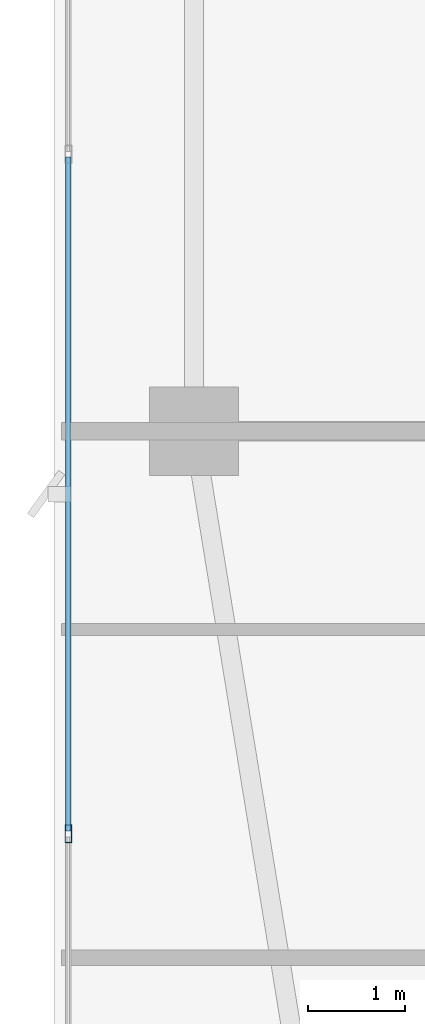
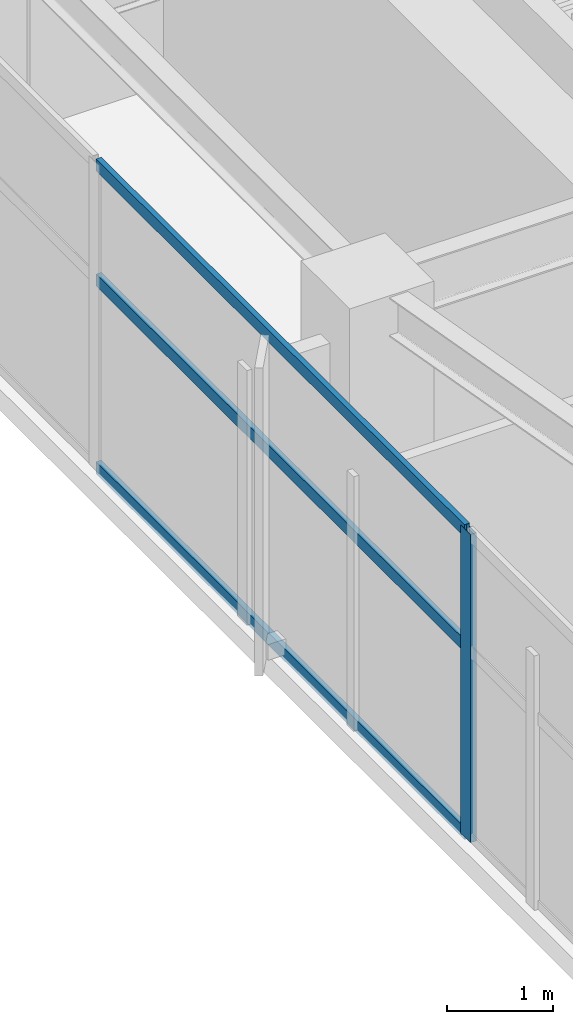
# One storey, part 4 of 27: 4 members, 1 element without a shape of its own.
"""IFC4 building model written with IfcOpenShell, lengths in metres."""

import ifcopenshell
import ifcopenshell.guid

model = None  # the IFC model being written
_history = None  # IfcOwnerHistory: only IFC2X3 demands one
_inside = {}  # id of a spatial element -> (the spatial element, [elements in it])
_under = {}  # id of a project, library or spatial element -> (it, [spatial elements below it])
_declared = {}  # id of a project -> (the project, [libraries it declares])
_typed = {}  # id of a type object -> (the type object, [elements of that type])
_made_of = {}  # id of a material, layer set ... -> (it, [elements and type objects made of it])


def new_model(schema):
    """Start an empty IFC model of exactly this schema.

    Asked for "IFC4X3", IfcOpenShell would pick the latest addendum, in which some entities
    have other attributes; the version numbers below select the first issue.
    IFC2X3 requires an IfcOwnerHistory on every rooted entity: one is made here for all.
    """
    global model, _history
    if schema == "IFC4X3":
        model = ifcopenshell.file(schema_version=(4, 3, 0, 0))
    else:
        model = ifcopenshell.file(schema=schema)
    _inside.clear()
    _under.clear()
    _declared.clear()
    _typed.clear()
    _made_of.clear()
    _history = None
    if model.schema == "IFC2X3":
        org = make("IfcOrganization", Name="unknown")
        user = make(
            "IfcPersonAndOrganization",
            ThePerson=make("IfcPerson", FamilyName="unknown"),
            TheOrganization=org,
        )
        app = make(
            "IfcApplication",
            ApplicationDeveloper=org,
            Version="unknown",
            ApplicationFullName="unknown",
            ApplicationIdentifier="unknown",
        )
        _history = make(
            "IfcOwnerHistory",
            OwningUser=user,
            OwningApplication=app,
            ChangeAction="ADDED",
            CreationDate=0,
        )
    return model


def make(cls, **values):
    """One entity of the class cls with the attributes given. An attribute that is None is left unset."""
    return model.create_entity(
        cls, **{name: value for name, value in values.items() if value is not None}
    )


def rooted(cls, **values):
    """An entity with a GlobalId (a new one), such as an element, a storey or a relation."""
    return make(cls, GlobalId=ifcopenshell.guid.new(), OwnerHistory=_history, **values)


def si_unit(unit_type, name, prefix=None):
    """IfcSIUnit, for example si_unit("LENGTHUNIT", "METRE", prefix="MILLI")."""
    return make("IfcSIUnit", UnitType=unit_type, Prefix=prefix, Name=name)


def assignment(units):
    """IfcUnitAssignment: the units of a project."""
    return None if units is None else make("IfcUnitAssignment", Units=units)


def point(xyz):
    """IfcCartesianPoint."""
    return None if xyz is None else make("IfcCartesianPoint", Coordinates=xyz)


def direction(xyz):
    """IfcDirection."""
    return None if xyz is None else make("IfcDirection", DirectionRatios=xyz)


def frame(location, z_axis=None, x_axis=None):
    """IfcAxis2Placement3D, a coordinate frame: its origin and axes. An axis left out is left unset."""
    return make(
        "IfcAxis2Placement3D",
        Location=point(location),
        Axis=direction(z_axis),
        RefDirection=direction(x_axis),
    )


def frame_2d(location, x_axis=None):
    """IfcAxis2Placement2D, a coordinate frame in the plane: its origin and x axis."""
    return make(
        "IfcAxis2Placement2D", Location=point(location), RefDirection=direction(x_axis)
    )


def origin():
    """The frame at (0, 0, 0) with its axes left unset."""
    return frame((0.0, 0.0, 0.0))


def origin_2d():
    """The frame at (0, 0) in the plane with its x axis left unset."""
    return frame_2d((0.0, 0.0))


def place(relative_to, where):
    """IfcLocalPlacement: puts the frame where relative to a parent placement (None: the world)."""
    return make(
        "IfcLocalPlacement", PlacementRelTo=relative_to, RelativePlacement=where
    )


def context(
    kind, dimensions, precision=None, world=None, true_north=None, identifier=None
):
    """IfcGeometricRepresentationContext, for example the 3D "Model" context."""
    return make(
        "IfcGeometricRepresentationContext",
        ContextIdentifier=identifier,
        ContextType=kind,
        CoordinateSpaceDimension=dimensions,
        Precision=precision,
        WorldCoordinateSystem=world,
        TrueNorth=true_north,
    )


def subcontext(parent, identifier, kind, view, scale=None):
    """IfcGeometricRepresentationSubContext, for example "Body" below "Model"."""
    return make(
        "IfcGeometricRepresentationSubContext",
        ContextIdentifier=identifier,
        ContextType=kind,
        ParentContext=parent,
        TargetScale=scale,
        TargetView=view,
    )


def project(units=None, contexts=None):
    """IfcProject with its units and contexts."""
    return rooted(
        "IfcProject",
        Name="project",
        RepresentationContexts=contexts,
        UnitsInContext=assignment(units),
    )


def spatial(cls, under=None, at=None, **own):
    """A site, building, storey or space (cls), placed at a placement, below another one or the project."""
    s = rooted(cls, ObjectPlacement=at, **own)
    if under is not None:
        _under.setdefault(under.id(), (under, []))[1].append(s)
    return s


def profile(cls, at=None, kind="AREA", **sizes):
    """A parametric profile (cls). Its sizes go by their IFC names, for example OverallWidth=200.0."""
    return make(cls, ProfileType=kind, Position=at, **sizes)


def hollow_rectangle(**sizes):
    """IfcRectangleHollowProfileDef."""
    return profile("IfcRectangleHollowProfileDef", **sizes)


def extrude(swept, where, along, depth):
    """IfcExtrudedAreaSolid: the profile swept, set in the frame where, extruded along a direction by depth."""
    return make(
        "IfcExtrudedAreaSolid",
        SweptArea=swept,
        Position=where,
        ExtrudedDirection=direction(along),
        Depth=depth,
    )


def shape(context_of_items, identifier, shape_type, items):
    """IfcShapeRepresentation: the items that make up one representation, for example the "Body"."""
    return make(
        "IfcShapeRepresentation",
        ContextOfItems=context_of_items,
        RepresentationIdentifier=identifier,
        RepresentationType=shape_type,
        Items=items,
    )


def material(Name=None, Category=None):
    """IfcMaterial."""
    return make("IfcMaterial", Name=Name, Category=Category)


def layer(
    of_material, thickness, ventilated=None, Name=None, Category=None, Priority=None
):
    """IfcMaterialLayer: one layer of a wall or slab, of a material (None: an air gap)."""
    return make(
        "IfcMaterialLayer",
        Material=of_material,
        LayerThickness=thickness,
        IsVentilated=ventilated,
        Name=Name,
        Category=Category,
        Priority=Priority,
    )


def layer_set(layers, Name=None):
    """IfcMaterialLayerSet."""
    return make("IfcMaterialLayerSet", MaterialLayers=layers, LayerSetName=Name)


def material_profile(
    of_material, cross_section, Name=None, Category=None, Priority=None
):
    """IfcMaterialProfile: a cross section and its material."""
    return make(
        "IfcMaterialProfile",
        Name=Name,
        Material=of_material,
        Profile=cross_section,
        Priority=Priority,
        Category=Category,
    )


def profile_set(profiles, Name=None, composite=None):
    """IfcMaterialProfileSet."""
    return make(
        "IfcMaterialProfileSet",
        Name=Name,
        MaterialProfiles=profiles,
        CompositeProfile=composite,
    )


def made_of(thing, what):
    """Note that an element or type object is made of a material, layer set ...; save() writes the relation."""
    if what is not None:
        _made_of.setdefault(what.id(), (what, []))[1].append(thing)
    return thing


def type_object(cls, material=None, **own):
    """A type object (cls), such as IfcWallType, which elements share."""
    return made_of(rooted(cls, **own), material)


def element(
    cls,
    number,
    at=None,
    inside=None,
    cuts=None,
    type_object=None,
    material=None,
    context=None,
    identifier="Body",
    shape_type=None,
    held_by="IfcProductDefinitionShape",
    body=None,
    shapes=None,
    **own,
):
    """One element of the class cls, such as IfcWall. Its Tag is "e" and its number.

    at: its placement. inside: the storey or other place that contains it. cuts: it is an
    opening in that element (IfcRelVoidsElement). A single representation is given by context,
    identifier, shape_type and body (its items); several are given by shapes. held_by: the class
    of the entity that holds the representations. save() writes the other relations.
    """
    e = rooted(cls, Tag="e%d" % number, ObjectPlacement=at, **own)
    if body is not None:
        shapes = [shape(context, identifier, shape_type, body)]
    if shapes is not None:
        e.Representation = make(held_by, Representations=shapes)
    if inside is not None:
        _inside.setdefault(inside.id(), (inside, []))[1].append(e)
    if cuts is not None:
        rooted(
            "IfcRelVoidsElement", RelatingBuildingElement=cuts, RelatedOpeningElement=e
        )
    if type_object is not None:
        _typed.setdefault(type_object.id(), (type_object, []))[1].append(e)
    return made_of(e, material)


def aggregate(whole, parts):
    """IfcRelAggregates: a whole, such as a stair, and the parts it consists of."""
    return rooted("IfcRelAggregates", RelatingObject=whole, RelatedObjects=parts)


def save(model, path):
    """Write the relations noted so far, then the file.

    IfcRelAggregates (storeys below a building ...), IfcRelContainedInSpatialStructure (elements
    in a storey), IfcRelDefinesByType, IfcRelAssociatesMaterial and IfcRelDeclares: one each for
    every whole, place, type object, material and project.
    """
    for whole, parts in _under.values():
        aggregate(whole, parts)
    for where, things in _inside.values():
        rooted(
            "IfcRelContainedInSpatialStructure",
            RelatedElements=things,
            RelatingStructure=where,
        )
    for kind, things in _typed.values():
        rooted("IfcRelDefinesByType", RelatedObjects=things, RelatingType=kind)
    for what, things in _made_of.values():
        rooted("IfcRelAssociatesMaterial", RelatedObjects=things, RelatingMaterial=what)
    for by, libraries in _declared.values():
        rooted("IfcRelDeclares", RelatingContext=by, RelatedDefinitions=libraries)
    model.write(path)


model = new_model("IFC4")

# Units and contexts
model_context = context("Model", 3, precision=1e-05, world=origin(), true_north=direction((0.0, 1.0)))
body_context = subcontext(model_context, "Body", "Model", "MODEL_VIEW")
ifc_project = project(units=[si_unit("LENGTHUNIT", "METRE"), si_unit("AREAUNIT", "SQUARE_METRE"), si_unit("VOLUMEUNIT", "CUBIC_METRE"), si_unit("PLANEANGLEUNIT", "RADIAN"), si_unit("MASSUNIT", "GRAM", prefix="KILO")], contexts=[model_context])

# Site, building, storey
site_placement = place(None, origin())
site = spatial("IfcSite", under=ifc_project, at=site_placement, CompositionType="ELEMENT")
building_placement = place(site_placement, origin())
building = spatial("IfcBuilding", under=site, at=building_placement, Name="Calvorn Quay Hotel", CompositionType="ELEMENT")
storey_placement = place(building_placement, frame((0.0, 0.0, 226.89990234375)))
storey = spatial("IfcBuildingStorey", under=building, at=storey_placement, Name="L56", CompositionType="ELEMENT", Elevation=226.89990234375)

# Curtain wall, members
ifc_material_1 = material(Name="Champagne Bronze Anodised Aluminium and Low-E Glass", Category="aluminium")
ifc_layer = layer(ifc_material_1, 0.219970703125)
ifc_layer_set = layer_set([ifc_layer], Name="CW-SYS-Z3")
curtain_wall_type = type_object("IfcCurtainWallType", Name="CW-SYS-Z3", PredefinedType="NOTDEFINED", material=ifc_layer_set)
curtain_wall_placement = place(storey_placement, origin())
curtain_wall = element("IfcCurtainWall", 1, at=curtain_wall_placement, inside=storey, type_object=curtain_wall_type, Name="Tower West Curtain Wall (L56)", PredefinedType="NOTDEFINED")
ifc_material_2 = material(Name="Champagne Bronze Anodised Aluminium 6063-T6", Category="aluminium")
ifc_material_profile_1 = material_profile(ifc_material_2, hollow_rectangle(XDim=0.068115234375, YDim=0.18505859375, WallThickness=0.00390625, at=origin_2d()), Name="ALU-M185x68x4")
ifc_profile_set_1 = profile_set([ifc_material_profile_1], Name="Champagne Bronze Anodised Aluminium 6063-T6")
member_type_1 = type_object("IfcMemberType", Name="CW-SYS-Z3-MUL", PredefinedType="MULLION", material=ifc_profile_set_1)
member_1_placement = place(storey_placement, frame((0.14990234375, 12.63330078125, 0.0), z_axis=(0.0, 0.0, 1.0), x_axis=(-1.0, 0.0, 0.0)))
member_1 = element("IfcMember", 2, at=member_1_placement, type_object=member_type_1, Name="CW-L56-W mullion 2", PredefinedType="MULLION", context=body_context, shape_type="SweptSolid", body=[
    extrude(hollow_rectangle(XDim=0.068115234375, YDim=0.18505859375, WallThickness=0.00390625, at=origin_2d()), origin(), (0.0, 0.0, 1.0), 3.56005859375),
])
ifc_material_3 = material(Name="Champagne Bronze Anodised Aluminium 6063-T6", Category="aluminium")
ifc_material_profile_2 = material_profile(ifc_material_3, hollow_rectangle(XDim=0.05810546875, YDim=0.139892578125, WallThickness=0.003173828125, at=origin_2d()), Name="ALU-T140x58x3.2")
ifc_profile_set_2 = profile_set([ifc_material_profile_2], Name="Champagne Bronze Anodised Aluminium 6063-T6")
member_type_2 = type_object("IfcMemberType", Name="CW-SYS-Z3-TRN", PredefinedType="USERDEFINED", material=ifc_profile_set_2)
member_2_placement = place(storey_placement, frame((0.14990234375, 12.663330078125, 0.030029296875), z_axis=(0.0, 1.0, 0.0), x_axis=(-1.0, 0.0, 0.0)))
member_2 = element("IfcMember", 3, at=member_2_placement, type_object=member_type_2, Name="CW-L56-W transom 2.1", ObjectType="TRANSOM", PredefinedType="USERDEFINED", context=body_context, shape_type="SweptSolid", body=[
    extrude(hollow_rectangle(XDim=0.05810546875, YDim=0.139892578125, WallThickness=0.003173828125, at=origin_2d()), origin(), (0.0, 0.0, 1.0), 6.973388671875),
])
member_3_placement = place(storey_placement, frame((0.14990234375, 12.663330078125, 2.2001953125), z_axis=(0.0, 1.0, 0.0), x_axis=(-1.0, 0.0, 0.0)))
member_3 = element("IfcMember", 4, at=member_3_placement, type_object=member_type_2, Name="CW-L56-W transom 2.2", ObjectType="TRANSOM", PredefinedType="USERDEFINED", context=body_context, shape_type="SweptSolid", body=[
    extrude(hollow_rectangle(XDim=0.05810546875, YDim=0.139892578125, WallThickness=0.003173828125, at=origin_2d()), origin(), (0.0, 0.0, 1.0), 6.973388671875),
])
member_4_placement = place(storey_placement, frame((0.14990234375, 12.663330078125, 3.530029296875), z_axis=(0.0, 1.0, 0.0), x_axis=(-1.0, 0.0, 0.0)))
member_4 = element("IfcMember", 5, at=member_4_placement, type_object=member_type_2, Name="CW-L56-W transom 2.3", ObjectType="TRANSOM", PredefinedType="USERDEFINED", context=body_context, shape_type="SweptSolid", body=[
    extrude(hollow_rectangle(XDim=0.05810546875, YDim=0.139892578125, WallThickness=0.003173828125, at=origin_2d()), origin(), (0.0, 0.0, 1.0), 6.973388671875),
])
aggregate(curtain_wall, [member_1, member_2, member_3, member_4])

save(model, "model.ifc")
